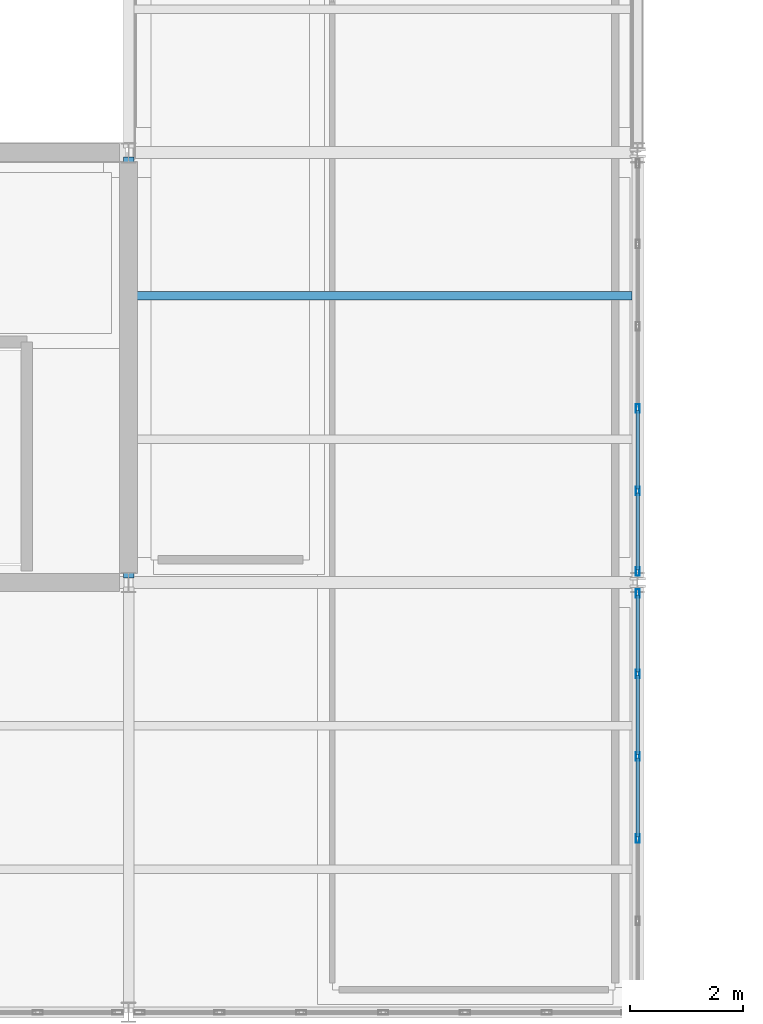
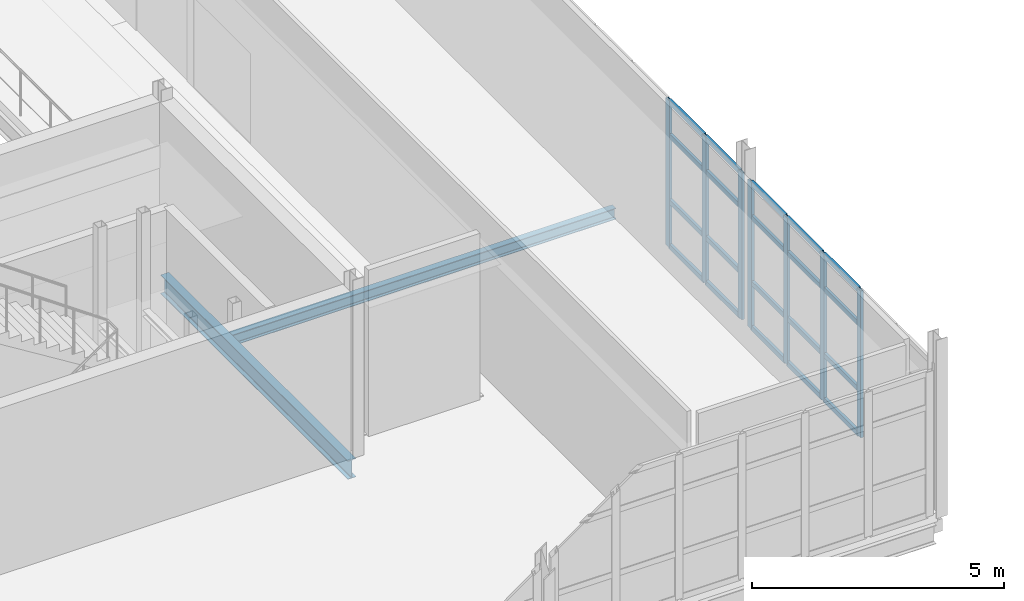
# One storey, part 118 of 174: 27 members, 2 beams, 2 elements without a shape of their own.
"""IFC4 building model written with IfcOpenShell, lengths in metres."""

from ifc_helpers import new_model, si_unit, direction, frame, origin, origin_2d, place, context, subcontext, project, spatial, hollow_rectangle, i_section, extrude, material, material_profile, profile_set, type_object, element, aggregate, save


model = new_model("IFC4")

# Units and contexts
model_context = context("Model", 3, precision=1e-05, world=origin(), true_north=direction((0.0, 1.0)))
body_context = subcontext(model_context, "Body", "Model", "MODEL_VIEW")
ifc_project = project(units=[si_unit("LENGTHUNIT", "METRE"), si_unit("AREAUNIT", "SQUARE_METRE"), si_unit("VOLUMEUNIT", "CUBIC_METRE"), si_unit("PLANEANGLEUNIT", "RADIAN"), si_unit("MASSUNIT", "GRAM", prefix="KILO")], contexts=[model_context])

# Site, building, storey
site_placement = place(None, origin())
site = spatial("IfcSite", under=ifc_project, at=site_placement, CompositionType="ELEMENT")
building_placement = place(site_placement, origin())
building = spatial("IfcBuilding", under=site, at=building_placement, Name="Caisbarro Railhouse Central Library", CompositionType="ELEMENT")
storey_placement = place(building_placement, frame((0.0, 0.0, 5.0400390625)))
storey = spatial("IfcBuildingStorey", under=building, at=storey_placement, Name="L01", CompositionType="ELEMENT", Elevation=5.0400390625)

# Beams
ifc_material_1 = material(Name="Steel ASTM A572 Grade 50", Category="steel")
ifc_material_profile_1 = material_profile(ifc_material_1, i_section(OverallWidth=0.18994140625, OverallDepth=0.45703125, WebThickness=0.009033203125, FlangeThickness=0.014404296875, FilletRadius=0.01806640625, at=origin_2d()), Name="W460X74.0")
ifc_profile_set_1 = profile_set([ifc_material_profile_1], Name="Steel ASTM A572 Grade 50")
beam_type_1 = type_object("IfcBeamType", Name="BM-G08", PredefinedType="BEAM", material=ifc_profile_set_1)
beam_1_placement = place(storey_placement, frame((144.0, 68.47998046875, -0.448486328125), z_axis=(0.0, 1.0, 0.0), x_axis=(-1.0, 0.0, 0.0)))
element("IfcBeam", 1, at=beam_1_placement, inside=storey, type_object=beam_type_1, Name="G08 beam L01 #951", PredefinedType="BEAM", context=body_context, shape_type="SweptSolid", body=[
    extrude(i_section(OverallWidth=0.18994140625, OverallDepth=0.45703125, WebThickness=0.009033203125, FlangeThickness=0.014404296875, FilletRadius=0.01806640625, at=origin_2d()), origin(), (0.0, 0.0, 1.0), 7.43994140625),
])
ifc_material_profile_2 = material_profile(ifc_material_1, i_section(OverallWidth=0.14794921875, OverallDepth=0.26611328125, WebThickness=0.007568359375, FlangeThickness=0.012939453125, FilletRadius=0.010009765625, at=origin_2d()), Name="W250X44.8")
ifc_profile_set_2 = profile_set([ifc_material_profile_2], Name="Steel ASTM A572 Grade 50")
beam_type_2 = type_object("IfcBeamType", Name="BM-J04", PredefinedType="JOIST", material=ifc_profile_set_2)
beam_2_placement = place(storey_placement, frame((144.094970703125, 73.466796875, -0.35302734375), z_axis=(1.0, 0.0, 0.0), x_axis=(0.0, 1.0, 0.0)))
element("IfcBeam", 2, at=beam_2_placement, inside=storey, type_object=beam_type_2, Name="J04 beam L01 #997", PredefinedType="JOIST", context=body_context, shape_type="SweptSolid", body=[
    extrude(i_section(OverallWidth=0.14794921875, OverallDepth=0.26611328125, WebThickness=0.007568359375, FlangeThickness=0.012939453125, FilletRadius=0.010009765625, at=origin_2d()), origin(), (0.0, 0.0, 1.0), 8.804931640625),
])

# Curtain wall, members
ifc_material_2 = material(Name="Anodised architectural aluminium", Category="aluminium")
curtain_wall_type = type_object("IfcCurtainWallType", Name="CW-CW03", PredefinedType="NOTDEFINED", material=ifc_material_2)
curtain_wall_1_placement = place(storey_placement, origin())
curtain_wall_1 = element("IfcCurtainWall", 3, at=curtain_wall_1_placement, inside=storey, type_object=curtain_wall_type, Name="CW03 curtain wall L01 #121", PredefinedType="NOTDEFINED")
ifc_material_profile_3 = material_profile(ifc_material_2, hollow_rectangle(XDim=0.06494140625, YDim=0.14990234375, WallThickness=0.00390625, at=origin_2d()), Name="ALU-MUL-65X150")
ifc_profile_set_3 = profile_set([ifc_material_profile_3], Name="Anodised architectural aluminium")
member_type_1 = type_object("IfcMemberType", Name="CWM-M02", PredefinedType="MULLION", material=ifc_profile_set_3)
member_1_placement = place(storey_placement, frame((153.0, 63.8720703125, 0.0), z_axis=(0.0, 0.0, 1.0), x_axis=(-1.0, 0.0, 0.0)))
member_1 = element("IfcMember", 4, at=member_1_placement, type_object=member_type_1, Name="CW03 mullion 3", PredefinedType="MULLION", context=body_context, shape_type="SweptSolid", body=[
    extrude(hollow_rectangle(XDim=0.06494140625, YDim=0.14990234375, WallThickness=0.00390625, at=origin_2d()), origin(), (0.0, 0.0, 1.0), 3.56005859375),
])
member_2_placement = place(storey_placement, frame((153.0, 65.327880859375, 0.0), z_axis=(0.0, 0.0, 1.0), x_axis=(-1.0, 0.0, 0.0)))
member_2 = element("IfcMember", 5, at=member_2_placement, type_object=member_type_1, Name="CW03 mullion 4", PredefinedType="MULLION", context=body_context, shape_type="SweptSolid", body=[
    extrude(hollow_rectangle(XDim=0.06494140625, YDim=0.14990234375, WallThickness=0.00390625, at=origin_2d()), origin(), (0.0, 0.0, 1.0), 3.56005859375),
])
member_3_placement = place(storey_placement, frame((153.0, 66.783935546875, 0.0), z_axis=(0.0, 0.0, 1.0), x_axis=(-1.0, 0.0, 0.0)))
member_3 = element("IfcMember", 6, at=member_3_placement, type_object=member_type_1, Name="CW03 mullion 5", PredefinedType="MULLION", context=body_context, shape_type="SweptSolid", body=[
    extrude(hollow_rectangle(XDim=0.06494140625, YDim=0.14990234375, WallThickness=0.00390625, at=origin_2d()), origin(), (0.0, 0.0, 1.0), 3.56005859375),
])
member_4_placement = place(storey_placement, frame((153.0, 68.20751953125, 0.0), z_axis=(0.0, 0.0, 1.0), x_axis=(-1.0, 0.0, 0.0)))
member_4 = element("IfcMember", 7, at=member_4_placement, type_object=member_type_1, Name="CW03 mullion 6", PredefinedType="MULLION", context=body_context, shape_type="SweptSolid", body=[
    extrude(hollow_rectangle(XDim=0.06494140625, YDim=0.14990234375, WallThickness=0.00390625, at=origin_2d()), origin(), (0.0, 0.0, 1.0), 3.56005859375),
])

curtain_wall_2_placement = place(storey_placement, origin())
curtain_wall_2 = element("IfcCurtainWall", 8, at=curtain_wall_2_placement, inside=storey, type_object=curtain_wall_type, Name="CW03 curtain wall L01 #122", PredefinedType="NOTDEFINED")
member_5_placement = place(storey_placement, frame((153.0, 68.592529296875, 0.0), z_axis=(0.0, 0.0, 1.0), x_axis=(-1.0, 0.0, 0.0)))
member_5 = element("IfcMember", 9, at=member_5_placement, type_object=member_type_1, Name="CW03 mullion 1", PredefinedType="MULLION", context=body_context, shape_type="SweptSolid", body=[
    extrude(hollow_rectangle(XDim=0.06494140625, YDim=0.14990234375, WallThickness=0.00390625, at=origin_2d()), origin(), (0.0, 0.0, 1.0), 3.56005859375),
])
member_6_placement = place(storey_placement, frame((153.0, 70.01611328125, 0.0), z_axis=(0.0, 0.0, 1.0), x_axis=(-1.0, 0.0, 0.0)))
member_6 = element("IfcMember", 10, at=member_6_placement, type_object=member_type_1, Name="CW03 mullion 2", PredefinedType="MULLION", context=body_context, shape_type="SweptSolid", body=[
    extrude(hollow_rectangle(XDim=0.06494140625, YDim=0.14990234375, WallThickness=0.00390625, at=origin_2d()), origin(), (0.0, 0.0, 1.0), 3.56005859375),
])
member_7_placement = place(storey_placement, frame((153.0, 71.471923828125, 0.0), z_axis=(0.0, 0.0, 1.0), x_axis=(-1.0, 0.0, 0.0)))
member_7 = element("IfcMember", 11, at=member_7_placement, type_object=member_type_1, Name="CW03 mullion 3", PredefinedType="MULLION", context=body_context, shape_type="SweptSolid", body=[
    extrude(hollow_rectangle(XDim=0.06494140625, YDim=0.14990234375, WallThickness=0.00390625, at=origin_2d()), origin(), (0.0, 0.0, 1.0), 3.56005859375),
])

# Member
ifc_material_profile_4 = material_profile(ifc_material_2, hollow_rectangle(XDim=0.06494140625, YDim=0.1201171875, WallThickness=0.00341796875, at=origin_2d()), Name="ALU-TRN-65X120")
ifc_profile_set_4 = profile_set([ifc_material_profile_4], Name="Anodised architectural aluminium")
member_type_2 = type_object("IfcMemberType", Name="CWT-T02", PredefinedType="USERDEFINED", material=ifc_profile_set_4)
member_8_placement = place(storey_placement, frame((153.0, 63.904541015625, 0.032470703125), z_axis=(0.0, 1.0, 0.0), x_axis=(-1.0, 0.0, 0.0)))
member_8 = element("IfcMember", 12, at=member_8_placement, type_object=member_type_2, Name="CW03 transom 3.1", ObjectType="TRANSOM", PredefinedType="USERDEFINED", context=body_context, shape_type="SweptSolid", body=[
    extrude(hollow_rectangle(XDim=0.06494140625, YDim=0.1201171875, WallThickness=0.00341796875, at=origin_2d()), origin(), (0.0, 0.0, 1.0), 1.390869140625),
])

member_9_placement = place(storey_placement, frame((153.0, 63.904541015625, 1.119873046875), z_axis=(0.0, 1.0, 0.0), x_axis=(-1.0, 0.0, 0.0)))
member_9 = element("IfcMember", 13, at=member_9_placement, type_object=member_type_2, Name="CW03 transom 3.2", ObjectType="TRANSOM", PredefinedType="USERDEFINED", context=body_context, shape_type="SweptSolid", body=[
    extrude(hollow_rectangle(XDim=0.06494140625, YDim=0.1201171875, WallThickness=0.00341796875, at=origin_2d()), origin(), (0.0, 0.0, 1.0), 1.390869140625),
])

member_10_placement = place(storey_placement, frame((153.0, 63.904541015625, 2.7099609375), z_axis=(0.0, 1.0, 0.0), x_axis=(-1.0, 0.0, 0.0)))
member_10 = element("IfcMember", 14, at=member_10_placement, type_object=member_type_2, Name="CW03 transom 3.3", ObjectType="TRANSOM", PredefinedType="USERDEFINED", context=body_context, shape_type="SweptSolid", body=[
    extrude(hollow_rectangle(XDim=0.06494140625, YDim=0.1201171875, WallThickness=0.00341796875, at=origin_2d()), origin(), (0.0, 0.0, 1.0), 1.390869140625),
])

member_11_placement = place(storey_placement, frame((153.0, 63.904541015625, 3.52734375), z_axis=(0.0, 1.0, 0.0), x_axis=(-1.0, 0.0, 0.0)))
member_11 = element("IfcMember", 15, at=member_11_placement, type_object=member_type_2, Name="CW03 transom 3.4", ObjectType="TRANSOM", PredefinedType="USERDEFINED", context=body_context, shape_type="SweptSolid", body=[
    extrude(hollow_rectangle(XDim=0.06494140625, YDim=0.1201171875, WallThickness=0.00341796875, at=origin_2d()), origin(), (0.0, 0.0, 1.0), 1.390869140625),
])

member_12_placement = place(storey_placement, frame((153.0, 65.360595703125, 0.032470703125), z_axis=(0.0, 1.0, 0.0), x_axis=(-1.0, 0.0, 0.0)))
member_12 = element("IfcMember", 16, at=member_12_placement, type_object=member_type_2, Name="CW03 transom 4.1", ObjectType="TRANSOM", PredefinedType="USERDEFINED", context=body_context, shape_type="SweptSolid", body=[
    extrude(hollow_rectangle(XDim=0.06494140625, YDim=0.1201171875, WallThickness=0.00341796875, at=origin_2d()), origin(), (0.0, 0.0, 1.0), 1.390869140625),
])

member_13_placement = place(storey_placement, frame((153.0, 65.360595703125, 1.119873046875), z_axis=(0.0, 1.0, 0.0), x_axis=(-1.0, 0.0, 0.0)))
member_13 = element("IfcMember", 17, at=member_13_placement, type_object=member_type_2, Name="CW03 transom 4.2", ObjectType="TRANSOM", PredefinedType="USERDEFINED", context=body_context, shape_type="SweptSolid", body=[
    extrude(hollow_rectangle(XDim=0.06494140625, YDim=0.1201171875, WallThickness=0.00341796875, at=origin_2d()), origin(), (0.0, 0.0, 1.0), 1.390869140625),
])

member_14_placement = place(storey_placement, frame((153.0, 65.360595703125, 2.7099609375), z_axis=(0.0, 1.0, 0.0), x_axis=(-1.0, 0.0, 0.0)))
member_14 = element("IfcMember", 18, at=member_14_placement, type_object=member_type_2, Name="CW03 transom 4.3", ObjectType="TRANSOM", PredefinedType="USERDEFINED", context=body_context, shape_type="SweptSolid", body=[
    extrude(hollow_rectangle(XDim=0.06494140625, YDim=0.1201171875, WallThickness=0.00341796875, at=origin_2d()), origin(), (0.0, 0.0, 1.0), 1.390869140625),
])

member_15_placement = place(storey_placement, frame((153.0, 65.360595703125, 3.52734375), z_axis=(0.0, 1.0, 0.0), x_axis=(-1.0, 0.0, 0.0)))
member_15 = element("IfcMember", 19, at=member_15_placement, type_object=member_type_2, Name="CW03 transom 4.4", ObjectType="TRANSOM", PredefinedType="USERDEFINED", context=body_context, shape_type="SweptSolid", body=[
    extrude(hollow_rectangle(XDim=0.06494140625, YDim=0.1201171875, WallThickness=0.00341796875, at=origin_2d()), origin(), (0.0, 0.0, 1.0), 1.390869140625),
])

member_16_placement = place(storey_placement, frame((153.0, 66.81640625, 0.032470703125), z_axis=(0.0, 1.0, 0.0), x_axis=(-1.0, 0.0, 0.0)))
member_16 = element("IfcMember", 20, at=member_16_placement, type_object=member_type_2, Name="CW03 transom 5.1", ObjectType="TRANSOM", PredefinedType="USERDEFINED", context=body_context, shape_type="SweptSolid", body=[
    extrude(hollow_rectangle(XDim=0.06494140625, YDim=0.1201171875, WallThickness=0.00341796875, at=origin_2d()), origin(), (0.0, 0.0, 1.0), 1.358642578125),
])

member_17_placement = place(storey_placement, frame((153.0, 66.81640625, 1.119873046875), z_axis=(0.0, 1.0, 0.0), x_axis=(-1.0, 0.0, 0.0)))
member_17 = element("IfcMember", 21, at=member_17_placement, type_object=member_type_2, Name="CW03 transom 5.2", ObjectType="TRANSOM", PredefinedType="USERDEFINED", context=body_context, shape_type="SweptSolid", body=[
    extrude(hollow_rectangle(XDim=0.06494140625, YDim=0.1201171875, WallThickness=0.00341796875, at=origin_2d()), origin(), (0.0, 0.0, 1.0), 1.358642578125),
])

member_18_placement = place(storey_placement, frame((153.0, 66.81640625, 2.7099609375), z_axis=(0.0, 1.0, 0.0), x_axis=(-1.0, 0.0, 0.0)))
member_18 = element("IfcMember", 22, at=member_18_placement, type_object=member_type_2, Name="CW03 transom 5.3", ObjectType="TRANSOM", PredefinedType="USERDEFINED", context=body_context, shape_type="SweptSolid", body=[
    extrude(hollow_rectangle(XDim=0.06494140625, YDim=0.1201171875, WallThickness=0.00341796875, at=origin_2d()), origin(), (0.0, 0.0, 1.0), 1.358642578125),
])

member_19_placement = place(storey_placement, frame((153.0, 66.81640625, 3.52734375), z_axis=(0.0, 1.0, 0.0), x_axis=(-1.0, 0.0, 0.0)))
member_19 = element("IfcMember", 23, at=member_19_placement, type_object=member_type_2, Name="CW03 transom 5.4", ObjectType="TRANSOM", PredefinedType="USERDEFINED", context=body_context, shape_type="SweptSolid", body=[
    extrude(hollow_rectangle(XDim=0.06494140625, YDim=0.1201171875, WallThickness=0.00341796875, at=origin_2d()), origin(), (0.0, 0.0, 1.0), 1.358642578125),
])

aggregate(curtain_wall_1, [member_1, member_2, member_3, member_4, member_8, member_9, member_10, member_11, member_12, member_13, member_14, member_15, member_16, member_17, member_18, member_19])

member_20_placement = place(storey_placement, frame((153.0, 68.625, 0.032470703125), z_axis=(0.0, 1.0, 0.0), x_axis=(-1.0, 0.0, 0.0)))
member_20 = element("IfcMember", 24, at=member_20_placement, type_object=member_type_2, Name="CW03 transom 1.1", ObjectType="TRANSOM", PredefinedType="USERDEFINED", context=body_context, shape_type="SweptSolid", body=[
    extrude(hollow_rectangle(XDim=0.06494140625, YDim=0.1201171875, WallThickness=0.00341796875, at=origin_2d()), origin(), (0.0, 0.0, 1.0), 1.3583984375),
])

member_21_placement = place(storey_placement, frame((153.0, 68.625, 1.119873046875), z_axis=(0.0, 1.0, 0.0), x_axis=(-1.0, 0.0, 0.0)))
member_21 = element("IfcMember", 25, at=member_21_placement, type_object=member_type_2, Name="CW03 transom 1.2", ObjectType="TRANSOM", PredefinedType="USERDEFINED", context=body_context, shape_type="SweptSolid", body=[
    extrude(hollow_rectangle(XDim=0.06494140625, YDim=0.1201171875, WallThickness=0.00341796875, at=origin_2d()), origin(), (0.0, 0.0, 1.0), 1.3583984375),
])

member_22_placement = place(storey_placement, frame((153.0, 68.625, 2.7099609375), z_axis=(0.0, 1.0, 0.0), x_axis=(-1.0, 0.0, 0.0)))
member_22 = element("IfcMember", 26, at=member_22_placement, type_object=member_type_2, Name="CW03 transom 1.3", ObjectType="TRANSOM", PredefinedType="USERDEFINED", context=body_context, shape_type="SweptSolid", body=[
    extrude(hollow_rectangle(XDim=0.06494140625, YDim=0.1201171875, WallThickness=0.00341796875, at=origin_2d()), origin(), (0.0, 0.0, 1.0), 1.3583984375),
])

member_23_placement = place(storey_placement, frame((153.0, 68.625, 3.52734375), z_axis=(0.0, 1.0, 0.0), x_axis=(-1.0, 0.0, 0.0)))
member_23 = element("IfcMember", 27, at=member_23_placement, type_object=member_type_2, Name="CW03 transom 1.4", ObjectType="TRANSOM", PredefinedType="USERDEFINED", context=body_context, shape_type="SweptSolid", body=[
    extrude(hollow_rectangle(XDim=0.06494140625, YDim=0.1201171875, WallThickness=0.00341796875, at=origin_2d()), origin(), (0.0, 0.0, 1.0), 1.3583984375),
])

member_24_placement = place(storey_placement, frame((153.0, 70.048583984375, 0.032470703125), z_axis=(0.0, 1.0, 0.0), x_axis=(-1.0, 0.0, 0.0)))
member_24 = element("IfcMember", 28, at=member_24_placement, type_object=member_type_2, Name="CW03 transom 2.1", ObjectType="TRANSOM", PredefinedType="USERDEFINED", context=body_context, shape_type="SweptSolid", body=[
    extrude(hollow_rectangle(XDim=0.06494140625, YDim=0.1201171875, WallThickness=0.00341796875, at=origin_2d()), origin(), (0.0, 0.0, 1.0), 1.390869140625),
])

member_25_placement = place(storey_placement, frame((153.0, 70.048583984375, 1.119873046875), z_axis=(0.0, 1.0, 0.0), x_axis=(-1.0, 0.0, 0.0)))
member_25 = element("IfcMember", 29, at=member_25_placement, type_object=member_type_2, Name="CW03 transom 2.2", ObjectType="TRANSOM", PredefinedType="USERDEFINED", context=body_context, shape_type="SweptSolid", body=[
    extrude(hollow_rectangle(XDim=0.06494140625, YDim=0.1201171875, WallThickness=0.00341796875, at=origin_2d()), origin(), (0.0, 0.0, 1.0), 1.390869140625),
])

member_26_placement = place(storey_placement, frame((153.0, 70.048583984375, 2.7099609375), z_axis=(0.0, 1.0, 0.0), x_axis=(-1.0, 0.0, 0.0)))
member_26 = element("IfcMember", 30, at=member_26_placement, type_object=member_type_2, Name="CW03 transom 2.3", ObjectType="TRANSOM", PredefinedType="USERDEFINED", context=body_context, shape_type="SweptSolid", body=[
    extrude(hollow_rectangle(XDim=0.06494140625, YDim=0.1201171875, WallThickness=0.00341796875, at=origin_2d()), origin(), (0.0, 0.0, 1.0), 1.390869140625),
])

member_27_placement = place(storey_placement, frame((153.0, 70.048583984375, 3.52734375), z_axis=(0.0, 1.0, 0.0), x_axis=(-1.0, 0.0, 0.0)))
member_27 = element("IfcMember", 31, at=member_27_placement, type_object=member_type_2, Name="CW03 transom 2.4", ObjectType="TRANSOM", PredefinedType="USERDEFINED", context=body_context, shape_type="SweptSolid", body=[
    extrude(hollow_rectangle(XDim=0.06494140625, YDim=0.1201171875, WallThickness=0.00341796875, at=origin_2d()), origin(), (0.0, 0.0, 1.0), 1.390869140625),
])

aggregate(curtain_wall_2, [member_5, member_6, member_7, member_20, member_21, member_22, member_23, member_24, member_25, member_26, member_27])

save(model, "model.ifc")
